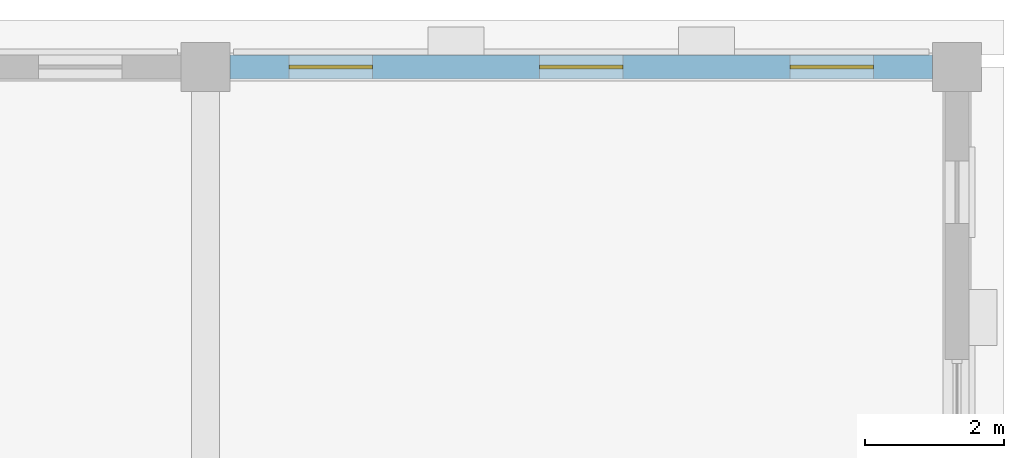
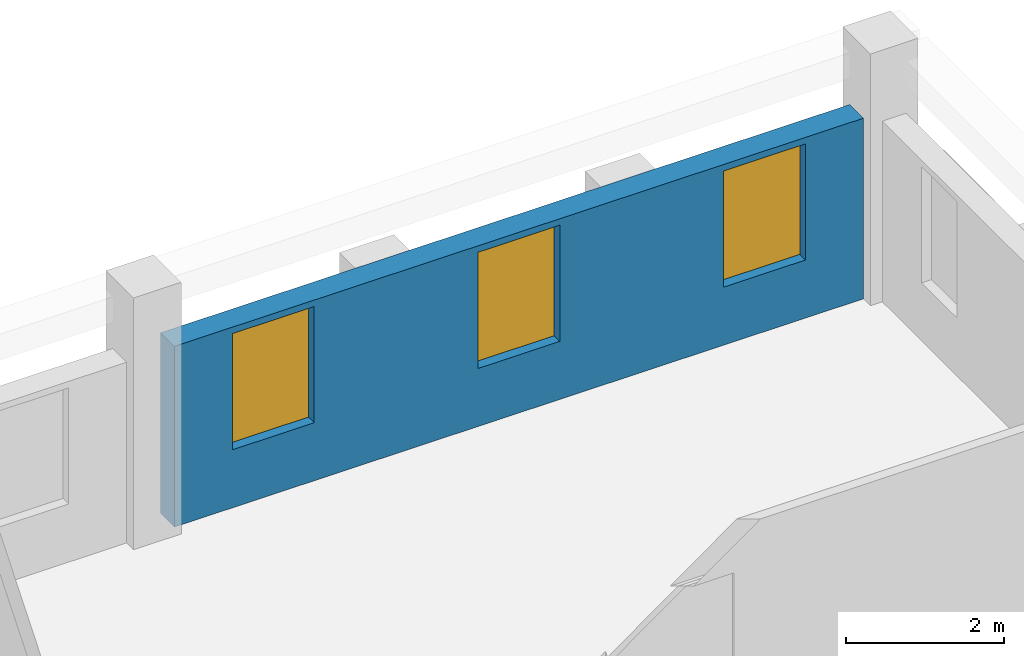
# One storey, part 10 of 17: 3 windows, 1 wall, 3 openings.
"""IFC4 building model written with IfcOpenShell, lengths in metres."""

from ifc_helpers import new_model, si_unit, direction, frame, frame_2d, origin, place, context, subcontext, project, spatial, rectangle, extrude, material, layer, layer_set, type_object, element, fill, save


model = new_model("IFC4")

# Units and contexts
model_context = context("Model", 3, precision=1e-05, world=origin(), true_north=direction((0.0, 1.0)))
body_context = subcontext(model_context, "Body", "Model", "MODEL_VIEW")
ifc_project = project(units=[si_unit("LENGTHUNIT", "METRE"), si_unit("AREAUNIT", "SQUARE_METRE"), si_unit("VOLUMEUNIT", "CUBIC_METRE"), si_unit("PLANEANGLEUNIT", "RADIAN"), si_unit("MASSUNIT", "GRAM", prefix="KILO")], contexts=[model_context])

# Site, building, storey
site_placement = place(None, origin())
site = spatial("IfcSite", under=ifc_project, at=site_placement, CompositionType="ELEMENT")
building_placement = place(site_placement, origin())
building = spatial("IfcBuilding", under=site, at=building_placement, Name="Magnolia Steps Interchange", CompositionType="ELEMENT")
storey_placement = place(building_placement, frame((0.0, 0.0, 20.39990234375)))
storey = spatial("IfcBuildingStorey", under=building, at=storey_placement, Name="L05", CompositionType="ELEMENT", Elevation=20.39990234375)

# Wall, openings, windows
ifc_material_1 = material(Name="Lime render on masonry", Category="masonry")
ifc_layer = layer(ifc_material_1, 0.35009765625)
ifc_layer_set = layer_set([ifc_layer], Name="Lime render wall 350")
wall_type = type_object("IfcWallType", Name="Lime render wall 350", PredefinedType="SOLIDWALL", material=ifc_layer_set)
wall_placement = place(storey_placement, frame((107.550048828125, 118.0, 0.0), z_axis=(0.0, 0.0, 1.0), x_axis=(1.0, 0.0, 0.0)))
wall = element("IfcWall", 1, at=wall_placement, inside=storey, type_object=wall_type, Name="Operations building north wall L05 pier 5", PredefinedType="SOLIDWALL", context=body_context, shape_type="SweptSolid", body=[
    extrude(rectangle(XDim=10.099853515625, YDim=0.35009765625, at=frame_2d((5.0498046875, 0.0))), origin(), (0.0, 0.0, 1.0), 2.800048828125),
])
opening_1_placement = place(wall_placement, frame((0.85009765625, 0.0, 0.89990234375)))
opening_1 = element("IfcOpeningElement", 2, at=opening_1_placement, cuts=wall, Name="Opening WN9", PredefinedType="OPENING", context=body_context, shape_type="SweptSolid", body=[
    extrude(rectangle(XDim=1.199951171875, YDim=1.800048828125, at=frame_2d((0.60009765625, 0.89990234375))), frame((0.0, 0.18505859375, 0.0), z_axis=(0.0, -1.0, 0.0), x_axis=(1.0, 0.0, 0.0)), (0.0, 0.0, 1.0), 0.3701171875),
])
opening_2_placement = place(wall_placement, frame((4.449951171875, 0.0, 0.89990234375)))
opening_2 = element("IfcOpeningElement", 3, at=opening_2_placement, cuts=wall, Name="Opening WN9", PredefinedType="OPENING", context=body_context, shape_type="SweptSolid", body=[
    extrude(rectangle(XDim=1.199951171875, YDim=1.800048828125, at=frame_2d((0.60009765625, 0.89990234375))), frame((0.0, 0.18505859375, 0.0), z_axis=(0.0, -1.0, 0.0), x_axis=(1.0, 0.0, 0.0)), (0.0, 0.0, 1.0), 0.3701171875),
])
opening_3_placement = place(wall_placement, frame((8.050048828125, 0.0, 0.89990234375)))
opening_3 = element("IfcOpeningElement", 4, at=opening_3_placement, cuts=wall, Name="Opening WN9", PredefinedType="OPENING", context=body_context, shape_type="SweptSolid", body=[
    extrude(rectangle(XDim=1.199951171875, YDim=1.800048828125, at=frame_2d((0.60009765625, 0.89990234375))), frame((0.0, 0.18505859375, 0.0), z_axis=(0.0, -1.0, 0.0), x_axis=(1.0, 0.0, 0.0)), (0.0, 0.0, 1.0), 0.3701171875),
])
ifc_material_2 = material(Name="Timber frame with double glazing", Category="wood")
window_type = type_object("IfcWindowType", Name="Casement window 1200 x 1800", PartitioningType="DOUBLE_PANEL_VERTICAL", PredefinedType="WINDOW", material=ifc_material_2)
window_1_placement = place(opening_1_placement, origin())
window_1 = element("IfcWindow", 5, at=window_1_placement, inside=storey, type_object=window_type, Name="Window L05 north 13", OverallHeight=1.800048828125, OverallWidth=1.199951171875, PartitioningType="SINGLE_PANEL", PredefinedType="WINDOW", context=body_context, shape_type="SweptSolid", body=[
    extrude(rectangle(XDim=1.199951171875, YDim=1.800048828125, at=frame_2d((0.60009765625, 0.89990234375))), frame((0.0, 0.030029296875, 0.0), z_axis=(0.0, -1.0, 0.0), x_axis=(1.0, 0.0, 0.0)), (0.0, 0.0, 1.0), 0.06005859375),
])
fill(opening_1, window_1)
window_2_placement = place(opening_2_placement, origin())
window_2 = element("IfcWindow", 6, at=window_2_placement, inside=storey, type_object=window_type, Name="Window L05 north 14", OverallHeight=1.800048828125, OverallWidth=1.199951171875, PartitioningType="SINGLE_PANEL", PredefinedType="WINDOW", context=body_context, shape_type="SweptSolid", body=[
    extrude(rectangle(XDim=1.199951171875, YDim=1.800048828125, at=frame_2d((0.60009765625, 0.89990234375))), frame((0.0, 0.030029296875, 0.0), z_axis=(0.0, -1.0, 0.0), x_axis=(1.0, 0.0, 0.0)), (0.0, 0.0, 1.0), 0.06005859375),
])
fill(opening_2, window_2)
window_3_placement = place(opening_3_placement, origin())
window_3 = element("IfcWindow", 7, at=window_3_placement, inside=storey, type_object=window_type, Name="Window L05 north 15", OverallHeight=1.800048828125, OverallWidth=1.199951171875, PartitioningType="SINGLE_PANEL", PredefinedType="WINDOW", context=body_context, shape_type="SweptSolid", body=[
    extrude(rectangle(XDim=1.199951171875, YDim=1.800048828125, at=frame_2d((0.60009765625, 0.89990234375))), frame((0.0, 0.030029296875, 0.0), z_axis=(0.0, -1.0, 0.0), x_axis=(1.0, 0.0, 0.0)), (0.0, 0.0, 1.0), 0.06005859375),
])
fill(opening_3, window_3)

save(model, "model.ifc")
